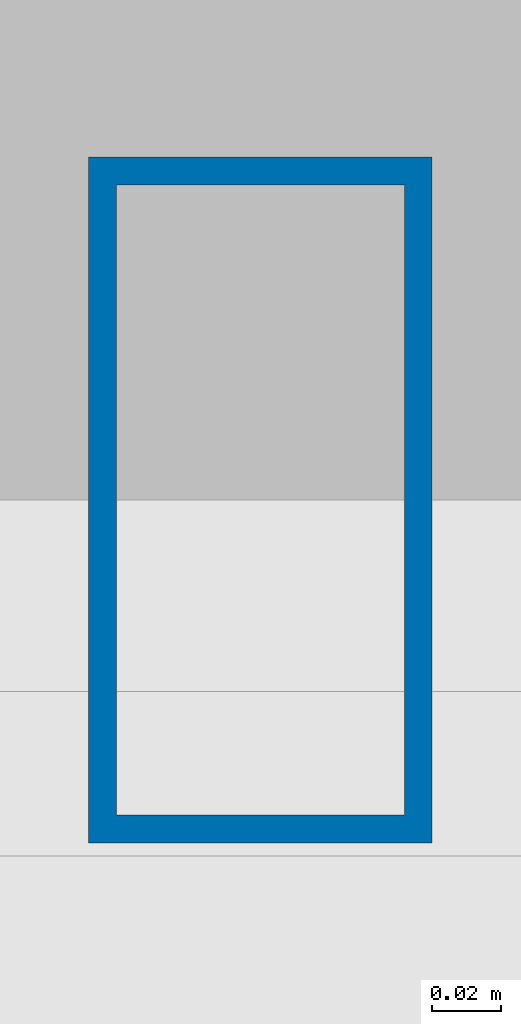
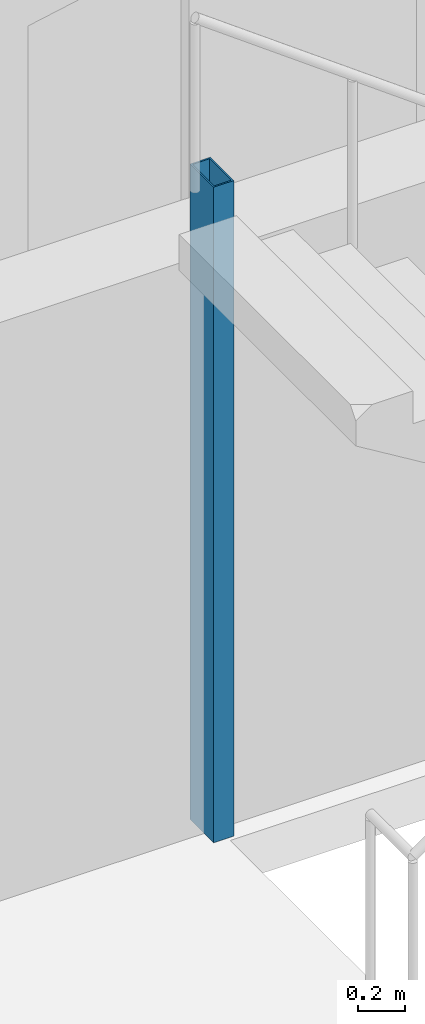
# One storey, part 2 of 20: 1 column.
"""IFC4 building model written with IfcOpenShell, lengths in metres."""

from ifc_helpers import new_model, si_unit, direction, frame, origin, origin_2d, place, context, subcontext, project, spatial, hollow_rectangle, extrude, material, material_profile, profile_set, type_object, element, save


model = new_model("IFC4")

# Units and contexts
model_context = context("Model", 3, precision=1e-05, world=origin(), true_north=direction((0.0, 1.0)))
body_context = subcontext(model_context, "Body", "Model", "MODEL_VIEW")
ifc_project = project(units=[si_unit("LENGTHUNIT", "METRE"), si_unit("AREAUNIT", "SQUARE_METRE"), si_unit("VOLUMEUNIT", "CUBIC_METRE"), si_unit("PLANEANGLEUNIT", "RADIAN"), si_unit("MASSUNIT", "GRAM", prefix="KILO")], contexts=[model_context])

# Site, building, storey
site_placement = place(None, origin())
site = spatial("IfcSite", under=ifc_project, at=site_placement, CompositionType="ELEMENT")
building_placement = place(site_placement, origin())
building = spatial("IfcBuilding", under=site, at=building_placement, Name="Menara Jurai Vektor", CompositionType="ELEMENT")
storey_placement = place(building_placement, frame((0.0, 0.0, 199.0)))
storey = spatial("IfcBuildingStorey", under=building, at=storey_placement, Name="L52", CompositionType="ELEMENT", Elevation=199.0)

# Column
ifc_material = material(Name="Steel S355", Category="steel")
ifc_material_profile = material_profile(ifc_material, hollow_rectangle(XDim=0.10009765625, YDim=0.199951171875, WallThickness=0.008056640625, at=origin_2d()), Name="RHS 200x100x8")
ifc_profile_set = profile_set([ifc_material_profile], Name="Steel S355")
column_type = type_object("IfcColumnType", Name="STR-COL-STAIR", PredefinedType="COLUMN", material=ifc_profile_set)
column_placement = place(storey_placement, frame((-11.1201171875, 5.419921875, 0.0), z_axis=(0.0, 0.0, 1.0), x_axis=(1.0, 0.0, 0.0)))
element("IfcColumn", 1, at=column_placement, inside=storey, type_object=column_type, Name="Stair Well Header Column ST1-P2 L52", PredefinedType="COLUMN", context=body_context, shape_type="SweptSolid", body=[
    extrude(hollow_rectangle(XDim=0.10009765625, YDim=0.199951171875, WallThickness=0.008056640625, at=origin_2d()), origin(), (0.0, 0.0, 1.0), 3.39990234375),
])

save(model, "model.ifc")
